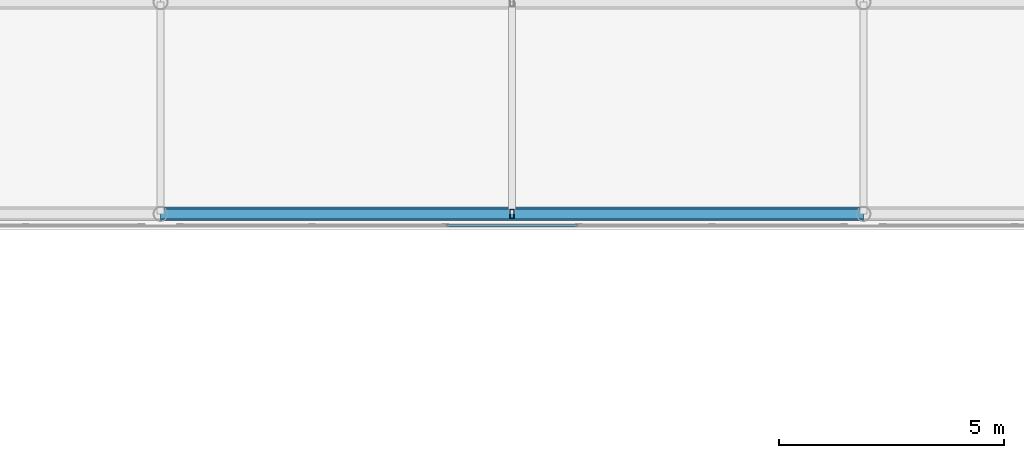
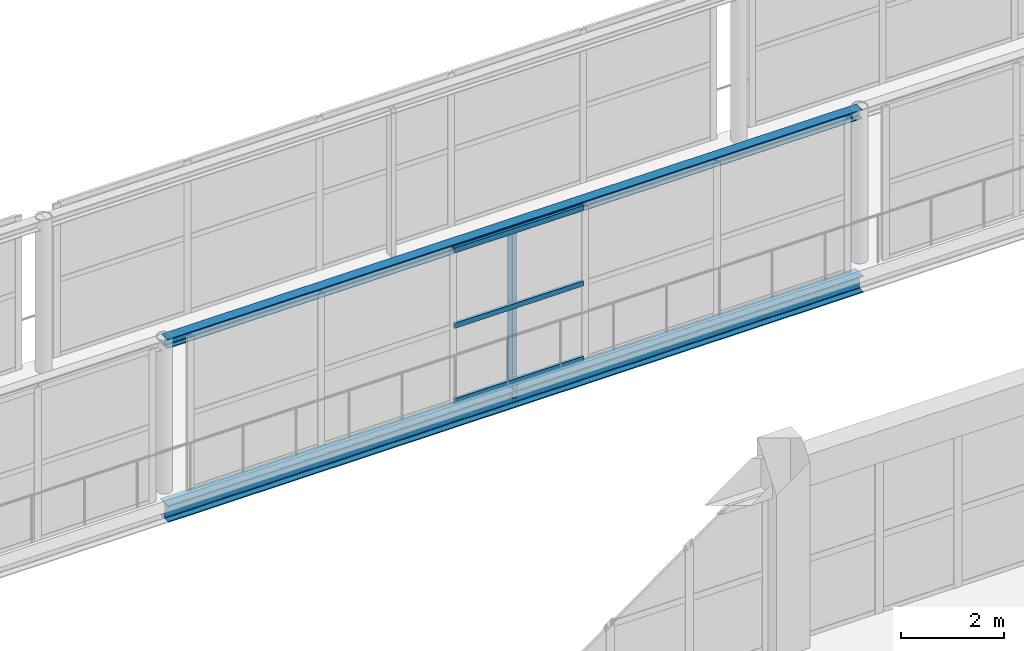
# One storey, part 49 of 175: 5 members, 1 beam, 1 element without a shape of its own.
"""IFC4 building model written with IfcOpenShell, lengths in metres."""

from ifc_helpers import new_model, si_unit, direction, frame, origin, origin_2d, place, context, subcontext, project, spatial, hollow_rectangle, i_section, extrude, material, layer, layer_set, material_profile, profile_set, type_object, element, aggregate, save


model = new_model("IFC4")

# Units and contexts
model_context = context("Model", 3, precision=1e-05, world=origin(), true_north=direction((0.0, 1.0)))
body_context = subcontext(model_context, "Body", "Model", "MODEL_VIEW")
ifc_project = project(units=[si_unit("LENGTHUNIT", "METRE"), si_unit("AREAUNIT", "SQUARE_METRE"), si_unit("VOLUMEUNIT", "CUBIC_METRE"), si_unit("PLANEANGLEUNIT", "RADIAN"), si_unit("MASSUNIT", "GRAM", prefix="KILO")], contexts=[model_context])

# Site, building, storey
site_placement = place(None, origin())
site = spatial("IfcSite", under=ifc_project, at=site_placement, CompositionType="ELEMENT")
building_placement = place(site_placement, origin())
building = spatial("IfcBuilding", under=site, at=building_placement, Name="Zizhar Promenade General Hospital", CompositionType="ELEMENT")
storey_placement = place(building_placement, frame((0.0, 0.0, 4.800048828125)))
storey = spatial("IfcBuildingStorey", under=building, at=storey_placement, Name="L01", CompositionType="ELEMENT", Elevation=4.800048828125)

# Beam
ifc_material_1 = material(Name="Steel S355", Category="steel")
ifc_material_profile_1 = material_profile(ifc_material_1, i_section(OverallWidth=0.300048828125, OverallDepth=0.39990234375, WebThickness=0.013427734375, FlangeThickness=0.02392578125, FilletRadius=0.027099609375, at=origin_2d()))
ifc_profile_set_1 = profile_set([ifc_material_profile_1], Name="Steel S355")
beam_type = type_object("IfcBeamType", Name="BM-STL-HEB400", PredefinedType="BEAM", material=ifc_profile_set_1)
beam_placement = place(storey_placement, frame((85.800048828125, 60.949951171875, -0.5), z_axis=(1.0, 0.0, 0.0), x_axis=(0.0, 1.0, 0.0)))
element("IfcBeam", 1, at=beam_placement, inside=storey, type_object=beam_type, Name="SB-1 Bottom Chord 2S", PredefinedType="BEAM", context=body_context, shape_type="SweptSolid", body=[
    extrude(i_section(OverallWidth=0.300048828125, OverallDepth=0.39990234375, WebThickness=0.013427734375, FlangeThickness=0.02392578125, FilletRadius=0.027099609375, at=origin_2d()), origin(), (0.0, 0.0, 1.0), 15.599853515625),
])

# Curtain wall, members
ifc_material_2 = material(Name="Anodised aluminium 6063-T6 and low-E glass", Category="aluminium")
ifc_layer = layer(ifc_material_2, 0.159912109375)
ifc_layer_set = layer_set([ifc_layer], Name="Anodised aluminium 6063-T6 and low-E glass")
curtain_wall_type = type_object("IfcCurtainWallType", Name="CW-SKY-GLZ", PredefinedType="NOTDEFINED", material=ifc_layer_set)
curtain_wall_placement = place(storey_placement, origin())
curtain_wall = element("IfcCurtainWall", 2, at=curtain_wall_placement, inside=storey, type_object=curtain_wall_type, Name="Courtyard Clinical Skybridge Level L01 South Glazing 2", PredefinedType="NOTDEFINED")
ifc_material_3 = material(Name="Anodised aluminium 6063-T6", Category="aluminium")
ifc_material_profile_2 = material_profile(ifc_material_3, hollow_rectangle(XDim=0.06005859375, YDim=0.1201171875, WallThickness=0.00390625, at=origin_2d()))
ifc_profile_set_2 = profile_set([ifc_material_profile_2], Name="Anodised aluminium 6063-T6")
member_type_1 = type_object("IfcMemberType", Name="CWT-ALU-120x60", PredefinedType="USERDEFINED", material=ifc_profile_set_2)
member_1_placement = place(storey_placement, frame((95.050048828125, 60.699951171875, 0.030029296875), z_axis=(-1.0, 0.0, 0.0), x_axis=(0.0, -1.0, 0.0)))
member_1 = element("IfcMember", 3, at=member_1_placement, type_object=member_type_1, Name="CW-15 transom 3.1", ObjectType="TRANSOM", PredefinedType="USERDEFINED", context=body_context, shape_type="SweptSolid", body=[
    extrude(hollow_rectangle(XDim=0.06005859375, YDim=0.1201171875, WallThickness=0.00390625, at=origin_2d()), origin(), (0.0, 0.0, 1.0), 2.900146484375),
])
member_2_placement = place(storey_placement, frame((95.050048828125, 60.699951171875, 1.820068359375), z_axis=(-1.0, 0.0, 0.0), x_axis=(0.0, -1.0, 0.0)))
member_2 = element("IfcMember", 4, at=member_2_placement, type_object=member_type_1, Name="CW-15 transom 3.2", ObjectType="TRANSOM", PredefinedType="USERDEFINED", context=body_context, shape_type="SweptSolid", body=[
    extrude(hollow_rectangle(XDim=0.06005859375, YDim=0.1201171875, WallThickness=0.00390625, at=origin_2d()), origin(), (0.0, 0.0, 1.0), 2.900146484375),
])
member_3_placement = place(storey_placement, frame((95.050048828125, 60.699951171875, 3.60986328125), z_axis=(-1.0, 0.0, 0.0), x_axis=(0.0, -1.0, 0.0)))
member_3 = element("IfcMember", 5, at=member_3_placement, type_object=member_type_1, Name="CW-15 transom 3.3", ObjectType="TRANSOM", PredefinedType="USERDEFINED", context=body_context, shape_type="SweptSolid", body=[
    extrude(hollow_rectangle(XDim=0.06005859375, YDim=0.1201171875, WallThickness=0.00390625, at=origin_2d()), origin(), (0.0, 0.0, 1.0), 2.900146484375),
])
aggregate(curtain_wall, [member_1, member_2, member_3])

# Members
ifc_material_4 = material(Name="Steel S355", Category="steel")
ifc_material_profile_3 = material_profile(ifc_material_4, i_section(OverallWidth=0.219970703125, OverallDepth=0.219970703125, WebThickness=0.009521484375, FlangeThickness=0.01611328125, FilletRadius=0.01806640625, at=origin_2d()))
ifc_profile_set_3 = profile_set([ifc_material_profile_3], Name="Steel S355")
member_type_2 = type_object("IfcMemberType", Name="MEM-CHORD-HEB220", PredefinedType="CHORD", material=ifc_profile_set_3)
member_4_placement = place(storey_placement, frame((85.800048828125, 60.949951171875, 3.510009765625), z_axis=(1.0, 0.0, 0.0), x_axis=(0.0, 1.0, 0.0)))
element("IfcMember", 6, at=member_4_placement, inside=storey, type_object=member_type_2, Name="SB-1 Top Chord 2S", PredefinedType="CHORD", context=body_context, shape_type="SweptSolid", body=[
    extrude(i_section(OverallWidth=0.219970703125, OverallDepth=0.219970703125, WebThickness=0.009521484375, FlangeThickness=0.01611328125, FilletRadius=0.01806640625, at=origin_2d()), origin(), (0.0, 0.0, 1.0), 15.599853515625),
])
ifc_material_5 = material(Name="Steel S355", Category="steel")
ifc_material_profile_4 = material_profile(ifc_material_5, hollow_rectangle(XDim=0.10009765625, YDim=0.199951171875, WallThickness=0.008056640625, at=origin_2d()))
ifc_profile_set_4 = profile_set([ifc_material_profile_4], Name="Steel S355")
member_type_3 = type_object("IfcMemberType", Name="MEM-STRUT-RHS200", PredefinedType="STRUT", material=ifc_profile_set_4)
member_5_placement = place(storey_placement, frame((93.60009765625, 60.949951171875, -0.5), z_axis=(0.0, 0.0, 1.0), x_axis=(1.0, 0.0, 0.0)))
element("IfcMember", 7, at=member_5_placement, inside=storey, type_object=member_type_3, Name="SB-1 Vierendeel Post 2S", PredefinedType="STRUT", context=body_context, shape_type="SweptSolid", body=[
    extrude(hollow_rectangle(XDim=0.10009765625, YDim=0.199951171875, WallThickness=0.008056640625, at=origin_2d()), origin(), (0.0, 0.0, 1.0), 4.010009765625),
])

save(model, "model.ifc")
